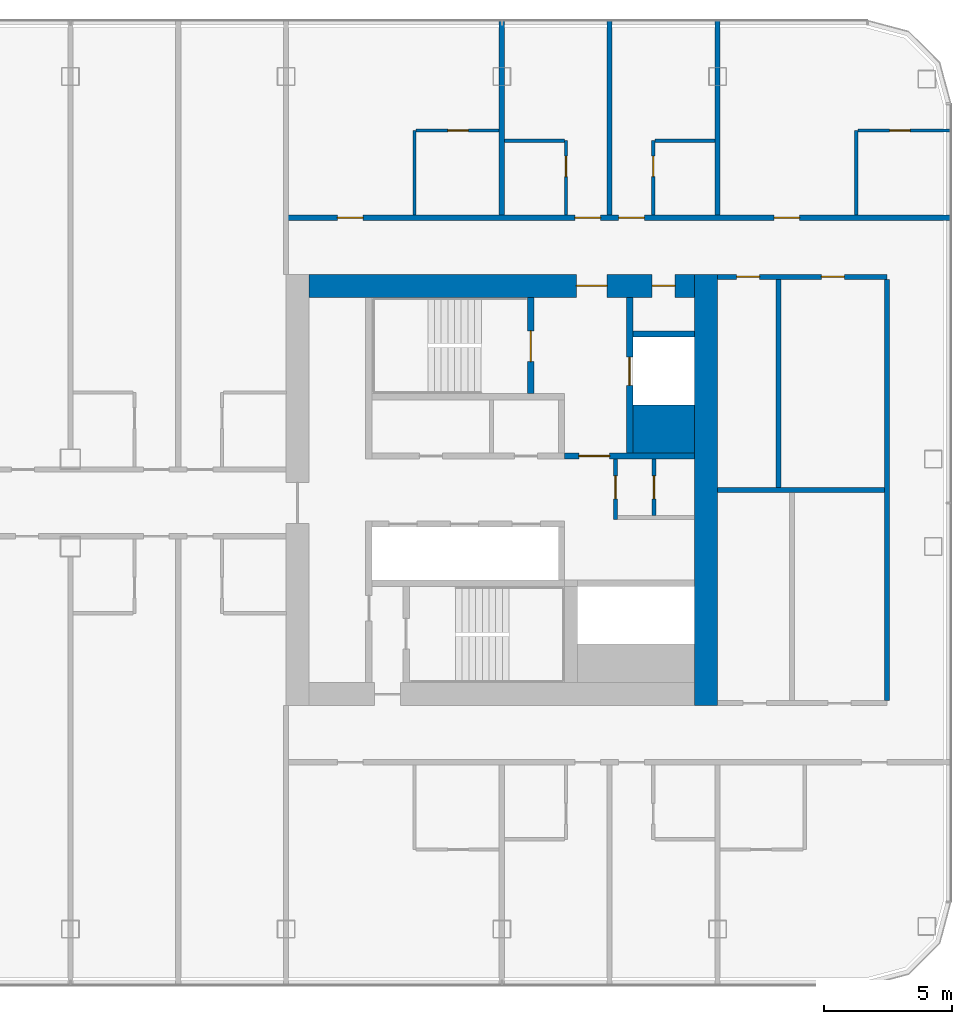
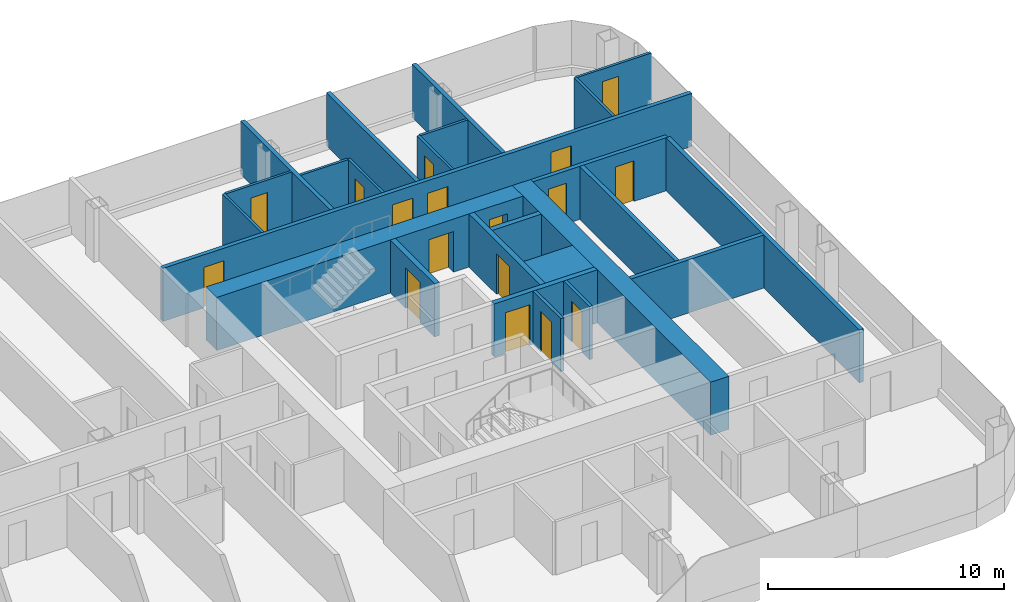
# One storey, part 17 of 26: 25 walls, 17 doors, 17 openings.
"""IFC4 building model written with IfcOpenShell, lengths in metres."""

from ifc_helpers import new_model, si_unit, direction, frame, frame_2d, origin, place, context, subcontext, project, spatial, rectangle, extrude, material, layer, layer_set, type_object, element, fill, save


model = new_model("IFC4")

# Units and contexts
model_context = context("Model", 3, precision=1e-05, world=origin(), true_north=direction((0.0, 1.0)))
body_context = subcontext(model_context, "Body", "Model", "MODEL_VIEW")
ifc_project = project(units=[si_unit("LENGTHUNIT", "METRE"), si_unit("AREAUNIT", "SQUARE_METRE"), si_unit("VOLUMEUNIT", "CUBIC_METRE"), si_unit("PLANEANGLEUNIT", "RADIAN"), si_unit("MASSUNIT", "GRAM", prefix="KILO")], contexts=[model_context])

# Site, building, storey
site_placement = place(None, origin())
site = spatial("IfcSite", under=ifc_project, at=site_placement, CompositionType="ELEMENT")
building_placement = place(site_placement, origin())
building = spatial("IfcBuilding", under=site, at=building_placement, Name="Hakoniwa Tower and Hamabe Station Hall", CompositionType="ELEMENT")
storey_placement = place(building_placement, frame((0.0, 0.0, 153.39990234375)))
storey = spatial("IfcBuildingStorey", under=building, at=storey_placement, Name="L43", CompositionType="ELEMENT", Elevation=153.39990234375)

# Walls
ifc_material_1 = material(Name="Gypsum board partition", Category="gypsum")
ifc_layer_1 = layer(ifc_material_1, 0.125)
ifc_layer_set_1 = layer_set([ifc_layer_1], Name="Bathroom Partition 125")
wall_type_1 = type_object("IfcWallType", Name="Bathroom Partition 125", PredefinedType="PARTITIONING", material=ifc_layer_set_1)
for number, where, z_axis, x_axis, name in (
    (1, (25.300048828125, 13.60009765625, 0.0), (0.0, 0.0, 1.0), (1.0, 0.0, 0.0), "GW-L43-031"),
    (2, (31.16259765625, 13.60009765625, 0.0), (0.0, 0.0, 1.0), (1.0, 0.0, 0.0), "GW-L43-032"),
):
    element("IfcWall", number, at=place(storey_placement, frame(where, z_axis=z_axis, x_axis=x_axis)), inside=storey, type_object=wall_type_1, Name=name, PredefinedType="PARTITIONING", context=body_context, shape_type="SweptSolid", body=[
        extrude(rectangle(XDim=2.33740234375, YDim=0.125, at=frame_2d((1.168701171875, 0.0))), origin(), (0.0, 0.0, 1.0), 2.75),
    ])

# Wall, opening, door
wall_1_placement = place(storey_placement, frame((21.862548828125, 14.0, 0.0), z_axis=(0.0, 0.0, 1.0), x_axis=(1.0, 0.0, 0.0)))
wall_1 = element("IfcWall", 3, at=wall_1_placement, inside=storey, type_object=wall_type_1, Name="GW-L43-034", PredefinedType="PARTITIONING", context=body_context, shape_type="SweptSolid", body=[
    extrude(rectangle(XDim=3.237548828125, YDim=0.125, at=frame_2d((1.61865234375, 0.0))), origin(), (0.0, 0.0, 1.0), 2.75),
])
opening_1_placement = place(wall_1_placement, frame((1.237548828125, 0.0, 0.0)))
opening_1 = element("IfcOpeningElement", 4, at=opening_1_placement, cuts=wall_1, Name="Opening GD-G3C1-46", PredefinedType="OPENING", context=body_context, shape_type="SweptSolid", body=[
    extrude(rectangle(XDim=0.800048828125, YDim=2.10009765625, at=frame_2d((0.39990234375, 1.050048828125))), frame((0.0, 0.072509765625, 0.0), z_axis=(0.0, -1.0, 0.0), x_axis=(1.0, 0.0, 0.0)), (0.0, 0.0, 1.0), 0.14501953125),
])
ifc_material_2 = material(Name="Timber door leaf", Category="wood")
door_type_1 = type_object("IfcDoorType", Name="Bathroom Door 800", OperationType="SINGLE_SWING_LEFT", PredefinedType="DOOR", material=ifc_material_2)
door_1_placement = place(opening_1_placement, origin())
door_1 = element("IfcDoor", 5, at=door_1_placement, inside=storey, type_object=door_type_1, Name="Door GD-G3C1-46", OperationType="SINGLE_SWING_RIGHT", OverallHeight=2.10009765625, OverallWidth=0.800048828125, PredefinedType="DOOR", context=body_context, shape_type="SweptSolid", body=[
    extrude(rectangle(XDim=0.800048828125, YDim=2.10009765625, at=frame_2d((0.39990234375, 1.050048828125))), frame((0.0, 0.02490234375, 0.0), z_axis=(0.0, -1.0, 0.0), x_axis=(1.0, 0.0, 0.0)), (0.0, 0.0, 1.0), 0.050048828125),
])
fill(opening_1, door_1)

wall_2_placement = place(storey_placement, frame((39.0625, 14.0, 0.0), z_axis=(0.0, 0.0, 1.0), x_axis=(1.0, 0.0, 0.0)))
wall_2 = element("IfcWall", 6, at=wall_2_placement, inside=storey, type_object=wall_type_1, Name="GW-L43-035", PredefinedType="PARTITIONING", context=body_context, shape_type="SweptSolid", body=[
    extrude(rectangle(XDim=3.637451171875, YDim=0.125, at=frame_2d((1.81884765625, 0.0))), origin(), (0.0, 0.0, 1.0), 2.75),
])
opening_2_placement = place(wall_2_placement, frame((1.237548828125, 0.0, 0.0)))
opening_2 = element("IfcOpeningElement", 7, at=opening_2_placement, cuts=wall_2, Name="Opening GD-G3C1-47", PredefinedType="OPENING", context=body_context, shape_type="SweptSolid", body=[
    extrude(rectangle(XDim=0.800048828125, YDim=2.10009765625, at=frame_2d((0.39990234375, 1.050048828125))), frame((0.0, 0.072509765625, 0.0), z_axis=(0.0, -1.0, 0.0), x_axis=(1.0, 0.0, 0.0)), (0.0, 0.0, 1.0), 0.14501953125),
])
door_2_placement = place(opening_2_placement, origin())
door_2 = element("IfcDoor", 8, at=door_2_placement, inside=storey, type_object=door_type_1, Name="Door GD-G3C1-47", OperationType="SINGLE_SWING_LEFT", OverallHeight=2.10009765625, OverallWidth=0.800048828125, PredefinedType="DOOR", context=body_context, shape_type="SweptSolid", body=[
    extrude(rectangle(XDim=0.800048828125, YDim=2.10009765625, at=frame_2d((0.39990234375, 1.050048828125))), frame((0.0, 0.02490234375, 0.0), z_axis=(0.0, -1.0, 0.0), x_axis=(1.0, 0.0, 0.0)), (0.0, 0.0, 1.0), 0.050048828125),
])
fill(opening_2, door_2)

# Wall
wall_3_placement = place(storey_placement, frame((21.800048828125, 10.699951171875, 0.0), z_axis=(0.0, 0.0, 1.0), x_axis=(0.0, 1.0, 0.0)))
element("IfcWall", 9, at=wall_3_placement, inside=storey, type_object=wall_type_1, Name="GW-L43-079", PredefinedType="PARTITIONING", context=body_context, shape_type="SweptSolid", body=[
    extrude(rectangle(XDim=3.300048828125, YDim=0.125, at=frame_2d((1.64990234375, 0.0))), origin(), (0.0, 0.0, 1.0), 2.75),
])

# Wall, opening, door
wall_4_placement = place(storey_placement, frame((27.699951171875, 10.699951171875, 0.0), z_axis=(0.0, 0.0, 1.0), x_axis=(0.0, 1.0, 0.0)))
wall_4 = element("IfcWall", 10, at=wall_4_placement, inside=storey, type_object=wall_type_1, Name="GW-L43-083", PredefinedType="PARTITIONING", context=body_context, shape_type="SweptSolid", body=[
    extrude(rectangle(XDim=2.900146484375, YDim=0.125, at=frame_2d((1.4501953125, 0.0))), origin(), (0.0, 0.0, 1.0), 2.75),
])
opening_3_placement = place(wall_4_placement, frame((1.5, 0.0, 0.0)))
opening_3 = element("IfcOpeningElement", 11, at=opening_3_placement, cuts=wall_4, Name="Opening GD-G3C1-61", PredefinedType="OPENING", context=body_context, shape_type="SweptSolid", body=[
    extrude(rectangle(XDim=0.800048828125, YDim=2.10009765625, at=frame_2d((0.39990234375, 1.050048828125))), frame((0.0, 0.072509765625, 0.0), z_axis=(0.0, -1.0, 0.0), x_axis=(1.0, 0.0, 0.0)), (0.0, 0.0, 1.0), 0.14501953125),
])
door_3_placement = place(opening_3_placement, origin())
door_3 = element("IfcDoor", 12, at=door_3_placement, inside=storey, type_object=door_type_1, Name="Door GD-G3C1-61", OperationType="SINGLE_SWING_LEFT", OverallHeight=2.10009765625, OverallWidth=0.800048828125, PredefinedType="DOOR", context=body_context, shape_type="SweptSolid", body=[
    extrude(rectangle(XDim=0.800048828125, YDim=2.10009765625, at=frame_2d((0.39990234375, 1.050048828125))), frame((0.0, 0.02490234375, 0.0), z_axis=(0.0, -1.0, 0.0), x_axis=(1.0, 0.0, 0.0)), (0.0, 0.0, 1.0), 0.050048828125),
])
fill(opening_3, door_3)

wall_5_placement = place(storey_placement, frame((31.10009765625, 10.699951171875, 0.0), z_axis=(0.0, 0.0, 1.0), x_axis=(0.0, 1.0, 0.0)))
wall_5 = element("IfcWall", 13, at=wall_5_placement, inside=storey, type_object=wall_type_1, Name="GW-L43-087", PredefinedType="PARTITIONING", context=body_context, shape_type="SweptSolid", body=[
    extrude(rectangle(XDim=2.900146484375, YDim=0.125, at=frame_2d((1.4501953125, 0.0))), origin(), (0.0, 0.0, 1.0), 2.75),
])
opening_4_placement = place(wall_5_placement, frame((1.5, 0.0, 0.0)))
opening_4 = element("IfcOpeningElement", 14, at=opening_4_placement, cuts=wall_5, Name="Opening GD-G3C1-63", PredefinedType="OPENING", context=body_context, shape_type="SweptSolid", body=[
    extrude(rectangle(XDim=0.800048828125, YDim=2.10009765625, at=frame_2d((0.39990234375, 1.050048828125))), frame((0.0, 0.072509765625, 0.0), z_axis=(0.0, -1.0, 0.0), x_axis=(1.0, 0.0, 0.0)), (0.0, 0.0, 1.0), 0.14501953125),
])
door_4_placement = place(opening_4_placement, origin())
door_4 = element("IfcDoor", 15, at=door_4_placement, inside=storey, type_object=door_type_1, Name="Door GD-G3C1-63", OperationType="SINGLE_SWING_RIGHT", OverallHeight=2.10009765625, OverallWidth=0.800048828125, PredefinedType="DOOR", context=body_context, shape_type="SweptSolid", body=[
    extrude(rectangle(XDim=0.800048828125, YDim=2.10009765625, at=frame_2d((0.39990234375, 1.050048828125))), frame((0.0, 0.02490234375, 0.0), z_axis=(0.0, -1.0, 0.0), x_axis=(1.0, 0.0, 0.0)), (0.0, 0.0, 1.0), 0.050048828125),
])
fill(opening_4, door_4)

# Wall
wall_6_placement = place(storey_placement, frame((39.0, 10.699951171875, 0.0), z_axis=(0.0, 0.0, 1.0), x_axis=(0.0, 1.0, 0.0)))
element("IfcWall", 16, at=wall_6_placement, inside=storey, type_object=wall_type_1, Name="GW-L43-093", PredefinedType="PARTITIONING", context=body_context, shape_type="SweptSolid", body=[
    extrude(rectangle(XDim=3.300048828125, YDim=0.125, at=frame_2d((1.64990234375, 0.0))), origin(), (0.0, 0.0, 1.0), 2.75),
])

# Wall, opening, door
ifc_material_3 = material(Name="Gypsum board partition")
ifc_layer_2 = layer(ifc_material_3, 0.14990234375)
ifc_layer_set_2 = layer_set([ifc_layer_2], Name="CORE PARTITION 150 EI 60")
wall_type_2 = type_object("IfcWallType", Name="CORE PARTITION 150 EI 60", PredefinedType="PARTITIONING", material=ifc_layer_set_2)
wall_7_placement = place(storey_placement, frame((29.625, -1.14990234375, 0.0), z_axis=(0.0, 0.0, 1.0), x_axis=(0.0, 1.0, 0.0)))
wall_7 = element("IfcWall", 17, at=wall_7_placement, inside=storey, type_object=wall_type_2, Name="Core partition PW0 east", PredefinedType="PARTITIONING", context=body_context, shape_type="SweptSolid", body=[
    extrude(rectangle(XDim=2.349853515625, YDim=0.14990234375, at=frame_2d((1.1748046875, 0.0))), origin(), (0.0, 0.0, 1.0), 2.75),
])
opening_5_placement = place(wall_7_placement, frame((0.800048828125, 0.0, 0.0)))
opening_5 = element("IfcOpeningElement", 18, at=opening_5_placement, cuts=wall_7, Name="Opening CD-E-RM1-9", PredefinedType="OPENING", context=body_context, shape_type="SweptSolid", body=[
    extrude(rectangle(XDim=0.89990234375, YDim=2.10009765625, at=frame_2d((0.449951171875, 1.050048828125))), frame((0.0, 0.0849609375, 0.0), z_axis=(0.0, -1.0, 0.0), x_axis=(1.0, 0.0, 0.0)), (0.0, 0.0, 1.0), 0.169921875),
])
ifc_material_4 = material(Name="Steel fire door", Category="steel")
door_type_2 = type_object("IfcDoorType", Name="CORE DOOR 900 FD30", OperationType="NOTDEFINED", PredefinedType="DOOR", material=ifc_material_4)
door_5_placement = place(opening_5_placement, origin())
door_5 = element("IfcDoor", 19, at=door_5_placement, inside=storey, type_object=door_type_2, Name="Store room door", OperationType="SINGLE_SWING_RIGHT", OverallHeight=2.10009765625, OverallWidth=0.89990234375, PredefinedType="DOOR", context=body_context, shape_type="SweptSolid", body=[
    extrude(rectangle(XDim=0.89990234375, YDim=2.10009765625, at=frame_2d((0.449951171875, 1.050048828125))), frame((0.0, 0.02490234375, 0.0), z_axis=(0.0, -1.0, 0.0), x_axis=(1.0, 0.0, 0.0)), (0.0, 0.0, 1.0), 0.050048828125),
])
fill(opening_5, door_5)

wall_8_placement = place(storey_placement, frame((31.125, -1.0, 0.0), z_axis=(0.0, 0.0, 1.0), x_axis=(0.0, 1.0, 0.0)))
wall_8 = element("IfcWall", 20, at=wall_8_placement, inside=storey, type_object=wall_type_2, Name="Core partition PW1 east", PredefinedType="PARTITIONING", context=body_context, shape_type="SweptSolid", body=[
    extrude(rectangle(XDim=2.199951171875, YDim=0.14990234375, at=frame_2d((1.10009765625, 0.0))), origin(), (0.0, 0.0, 1.0), 2.75),
])
opening_6_placement = place(wall_8_placement, frame((0.64990234375, 0.0, 0.0)))
opening_6 = element("IfcOpeningElement", 21, at=opening_6_placement, cuts=wall_8, Name="Opening CD-E-RM2-9", PredefinedType="OPENING", context=body_context, shape_type="SweptSolid", body=[
    extrude(rectangle(XDim=0.89990234375, YDim=2.10009765625, at=frame_2d((0.449951171875, 1.050048828125))), frame((0.0, 0.0849609375, 0.0), z_axis=(0.0, -1.0, 0.0), x_axis=(1.0, 0.0, 0.0)), (0.0, 0.0, 1.0), 0.169921875),
])
door_6_placement = place(opening_6_placement, origin())
door_6 = element("IfcDoor", 22, at=door_6_placement, inside=storey, type_object=door_type_2, Name="Store room door", OperationType="SINGLE_SWING_RIGHT", OverallHeight=2.10009765625, OverallWidth=0.89990234375, PredefinedType="DOOR", context=body_context, shape_type="SweptSolid", body=[
    extrude(rectangle(XDim=0.89990234375, YDim=2.10009765625, at=frame_2d((0.449951171875, 1.050048828125))), frame((0.0, 0.02490234375, 0.0), z_axis=(0.0, -1.0, 0.0), x_axis=(1.0, 0.0, 0.0)), (0.0, 0.0, 1.0), 0.050048828125),
])
fill(opening_6, door_6)

# Wall
ifc_material_5 = material(Name="Concrete C66", Category="concrete")
ifc_layer_3 = layer(ifc_material_5, 0.89990234375)
ifc_layer_set_3 = layer_set([ifc_layer_3], Name="CORE WALL 900 C66")
wall_type_3 = type_object("IfcWallType", Name="CORE WALL 900 C66", PredefinedType="SHEAR", material=ifc_layer_set_3)
wall_9_placement = place(storey_placement, frame((33.14990234375, -8.39990234375, 0.0), z_axis=(0.0, 0.0, 1.0), x_axis=(0.0, 1.0, 0.0)))
element("IfcWall", 23, at=wall_9_placement, inside=storey, type_object=wall_type_3, Name="Core wall OUTER east", PredefinedType="SHEAR", context=body_context, shape_type="SweptSolid", body=[
    extrude(rectangle(XDim=16.7998046875, YDim=0.89990234375, at=frame_2d((8.39990234375, 0.0))), origin(), (0.0, 0.0, 1.0), 2.75),
])

# Wall, openings, doors
wall_10_placement = place(storey_placement, frame((17.699951171875, 7.949951171875, 0.0), z_axis=(0.0, 0.0, 1.0), x_axis=(1.0, 0.0, 0.0)))
wall_10 = element("IfcWall", 24, at=wall_10_placement, inside=storey, type_object=wall_type_3, Name="Core wall NORTH east", PredefinedType="SHEAR", context=body_context, shape_type="SweptSolid", body=[
    extrude(rectangle(XDim=15.0, YDim=0.89990234375, at=frame_2d((7.5, 0.0))), origin(), (0.0, 0.0, 1.0), 2.75),
])
opening_7_placement = place(wall_10_placement, frame((10.39990234375, 0.0, 0.0)))
opening_7 = element("IfcOpeningElement", 25, at=opening_7_placement, cuts=wall_10, Name="Opening CD-E-FN1-12", PredefinedType="OPENING", context=body_context, shape_type="SweptSolid", body=[
    extrude(rectangle(XDim=1.199951171875, YDim=2.10009765625, at=frame_2d((0.60009765625, 1.050048828125))), frame((0.0, 0.4599609375, 0.0), z_axis=(0.0, -1.0, 0.0), x_axis=(1.0, 0.0, 0.0)), (0.0, 0.0, 1.0), 0.919921875),
])
opening_8_placement = place(wall_10_placement, frame((13.35009765625, 0.0, 0.0)))
opening_8 = element("IfcOpeningElement", 26, at=opening_8_placement, cuts=wall_10, Name="Opening CD-E-FN2-9", PredefinedType="OPENING", context=body_context, shape_type="SweptSolid", body=[
    extrude(rectangle(XDim=0.89990234375, YDim=2.10009765625, at=frame_2d((0.449951171875, 1.050048828125))), frame((0.0, 0.4599609375, 0.0), z_axis=(0.0, -1.0, 0.0), x_axis=(1.0, 0.0, 0.0)), (0.0, 0.0, 1.0), 0.919921875),
])
ifc_material_6 = material(Name="Steel fire door", Category="steel")
door_type_3 = type_object("IfcDoorType", Name="CORE DOOR 1200 FD60", OperationType="DOUBLE_DOOR_SINGLE_SWING", PredefinedType="DOOR", material=ifc_material_6)
door_7_placement = place(opening_7_placement, origin())
door_7 = element("IfcDoor", 27, at=door_7_placement, inside=storey, type_object=door_type_3, Name="Stair vestibule door to the fire-fighting lobby", OperationType="DOUBLE_DOOR_SINGLE_SWING", OverallHeight=2.10009765625, OverallWidth=1.199951171875, PredefinedType="DOOR", context=body_context, shape_type="SweptSolid", body=[
    extrude(rectangle(XDim=1.199951171875, YDim=2.10009765625, at=frame_2d((0.60009765625, 1.050048828125))), frame((0.0, 0.02490234375, 0.0), z_axis=(0.0, -1.0, 0.0), x_axis=(1.0, 0.0, 0.0)), (0.0, 0.0, 1.0), 0.050048828125),
])
fill(opening_7, door_7)
door_8_placement = place(opening_8_placement, origin())
door_8 = element("IfcDoor", 28, at=door_8_placement, inside=storey, type_object=door_type_2, Name="Riser access door", OperationType="SINGLE_SWING_RIGHT", OverallHeight=2.10009765625, OverallWidth=0.89990234375, PredefinedType="DOOR", context=body_context, shape_type="SweptSolid", body=[
    extrude(rectangle(XDim=0.89990234375, YDim=2.10009765625, at=frame_2d((0.449951171875, 1.050048828125))), frame((0.0, 0.02490234375, 0.0), z_axis=(0.0, -1.0, 0.0), x_axis=(1.0, 0.0, 0.0)), (0.0, 0.0, 1.0), 0.050048828125),
])
fill(opening_8, door_8)

# Wall
ifc_material_7 = material(Name="Concrete C66", Category="concrete")
ifc_layer_4 = layer(ifc_material_7, 1.85009765625)
ifc_layer_set_4 = layer_set([ifc_layer_4], Name="CORE WEB WALL 1850 C66")
wall_type_4 = type_object("IfcWallType", Name="CORE WEB WALL 1850 C66", PredefinedType="SHEAR", material=ifc_layer_set_4)
wall_11_placement = place(storey_placement, frame((30.300048828125, 2.375, 0.0), z_axis=(0.0, 0.0, 1.0), x_axis=(1.0, 0.0, 0.0)))
element("IfcWall", 29, at=wall_11_placement, inside=storey, type_object=wall_type_4, Name="Core wall CA east", PredefinedType="SHEAR", context=body_context, shape_type="SweptSolid", body=[
    extrude(rectangle(XDim=2.39990234375, YDim=1.85009765625, at=frame_2d((1.199951171875, 0.0))), origin(), (0.0, 0.0, 1.0), 2.75),
])

# Wall, opening, door
ifc_material_8 = material(Name="Concrete C66", Category="concrete")
ifc_layer_5 = layer(ifc_material_8, 0.25)
ifc_layer_set_5 = layer_set([ifc_layer_5], Name="CORE WEB WALL 250 C66")
wall_type_5 = type_object("IfcWallType", Name="CORE WEB WALL 250 C66", PredefinedType="SHEAR", material=ifc_layer_set_5)
wall_12_placement = place(storey_placement, frame((26.324951171875, 3.75, 0.0), z_axis=(0.0, 0.0, 1.0), x_axis=(0.0, 1.0, 0.0)))
wall_12 = element("IfcWall", 30, at=wall_12_placement, inside=storey, type_object=wall_type_5, Name="Core wall NSE east", PredefinedType="SHEAR", context=body_context, shape_type="SweptSolid", body=[
    extrude(rectangle(XDim=3.75, YDim=0.25, at=frame_2d((1.875, 0.0))), origin(), (0.0, 0.0, 1.0), 2.75),
])
opening_9_placement = place(wall_12_placement, frame((1.25, 0.0, 0.0)))
opening_9 = element("IfcOpeningElement", 31, at=opening_9_placement, cuts=wall_12, Name="Opening CD-E-SN-12", PredefinedType="OPENING", context=body_context, shape_type="SweptSolid", body=[
    extrude(rectangle(XDim=1.199951171875, YDim=2.10009765625, at=frame_2d((0.60009765625, 1.050048828125))), frame((0.0, 0.135009765625, 0.0), z_axis=(0.0, -1.0, 0.0), x_axis=(1.0, 0.0, 0.0)), (0.0, 0.0, 1.0), 0.27001953125),
])
door_9_placement = place(opening_9_placement, origin())
door_9 = element("IfcDoor", 32, at=door_9_placement, inside=storey, type_object=door_type_3, Name="Escape stair door", OperationType="DOUBLE_DOOR_SINGLE_SWING", OverallHeight=2.10009765625, OverallWidth=1.199951171875, PredefinedType="DOOR", context=body_context, shape_type="SweptSolid", body=[
    extrude(rectangle(XDim=1.199951171875, YDim=2.10009765625, at=frame_2d((0.60009765625, 1.050048828125))), frame((0.0, 0.02490234375, 0.0), z_axis=(0.0, -1.0, 0.0), x_axis=(1.0, 0.0, 0.0)), (0.0, 0.0, 1.0), 0.050048828125),
])
fill(opening_9, door_9)

wall_13_placement = place(storey_placement, frame((27.64990234375, 1.324951171875, 0.0), z_axis=(0.0, 0.0, 1.0), x_axis=(1.0, 0.0, 0.0)))
wall_13 = element("IfcWall", 33, at=wall_13_placement, inside=storey, type_object=wall_type_5, Name="Core wall ELN east", PredefinedType="SHEAR", context=body_context, shape_type="SweptSolid", body=[
    extrude(rectangle(XDim=5.050048828125, YDim=0.25, at=frame_2d((2.52490234375, 0.0))), origin(), (0.0, 0.0, 1.0), 2.75),
])
opening_10_placement = place(wall_13_placement, frame((0.550048828125, 0.0, 0.0)))
opening_10 = element("IfcOpeningElement", 34, at=opening_10_placement, cuts=wall_13, Name="Opening CD-E-FL-12", PredefinedType="OPENING", context=body_context, shape_type="SweptSolid", body=[
    extrude(rectangle(XDim=1.199951171875, YDim=2.10009765625, at=frame_2d((0.60009765625, 1.050048828125))), frame((0.0, 0.135009765625, 0.0), z_axis=(0.0, -1.0, 0.0), x_axis=(1.0, 0.0, 0.0)), (0.0, 0.0, 1.0), 0.27001953125),
])
door_10_placement = place(opening_10_placement, origin())
door_10 = element("IfcDoor", 35, at=door_10_placement, inside=storey, type_object=door_type_3, Name="Stair vestibule door to the fire-fighting lobby", OperationType="DOUBLE_DOOR_SINGLE_SWING", OverallHeight=2.10009765625, OverallWidth=1.199951171875, PredefinedType="DOOR", context=body_context, shape_type="SweptSolid", body=[
    extrude(rectangle(XDim=1.199951171875, YDim=2.10009765625, at=frame_2d((0.60009765625, 1.050048828125))), frame((0.0, 0.02490234375, 0.0), z_axis=(0.0, -1.0, 0.0), x_axis=(1.0, 0.0, 0.0)), (0.0, 0.0, 1.0), 0.050048828125),
])
fill(opening_10, door_10)

wall_14_placement = place(storey_placement, frame((30.175048828125, 1.449951171875, 0.0), z_axis=(0.0, 0.0, 1.0), x_axis=(0.0, 1.0, 0.0)))
wall_14 = element("IfcWall", 36, at=wall_14_placement, inside=storey, type_object=wall_type_5, Name="Core wall FFF east", PredefinedType="SHEAR", context=body_context, shape_type="SweptSolid", body=[
    extrude(rectangle(XDim=6.050048828125, YDim=0.25, at=frame_2d((3.02490234375, 0.0))), origin(), (0.0, 0.0, 1.0), 2.75),
])
opening_11_placement = place(wall_14_placement, frame((2.625, 0.0, 0.0)))
opening_11 = element("IfcOpeningElement", 37, at=opening_11_placement, cuts=wall_14, Name="Opening LD-FF2", PredefinedType="OPENING", context=body_context, shape_type="SweptSolid", body=[
    extrude(rectangle(XDim=1.10009765625, YDim=2.10009765625, at=frame_2d((0.550048828125, 1.050048828125))), frame((0.0, 0.135009765625, 0.0), z_axis=(0.0, -1.0, 0.0), x_axis=(1.0, 0.0, 0.0)), (0.0, 0.0, 1.0), 0.27001953125),
])
ifc_material_9 = material(Name="Stainless steel SUS304", Category="steel")
door_type_4 = type_object("IfcDoorType", Name="LIFT LANDING DOOR 1100 FD60", OperationType="DOUBLE_DOOR_SLIDING", PredefinedType="DOOR", material=ifc_material_9)
door_11_placement = place(opening_11_placement, origin())
door_11 = element("IfcDoor", 38, at=door_11_placement, inside=storey, type_object=door_type_4, Name="Lift landing door FF2 L43", OperationType="DOUBLE_DOOR_SLIDING", OverallHeight=2.10009765625, OverallWidth=1.10009765625, PredefinedType="DOOR", context=body_context, shape_type="SweptSolid", body=[
    extrude(rectangle(XDim=1.10009765625, YDim=2.10009765625, at=frame_2d((0.550048828125, 1.050048828125))), frame((0.0, 0.02490234375, 0.0), z_axis=(0.0, -1.0, 0.0), x_axis=(1.0, 0.0, 0.0)), (0.0, 0.0, 1.0), 0.050048828125),
])
fill(opening_11, door_11)

# Wall
wall_15_placement = place(storey_placement, frame((30.300048828125, 6.074951171875, 0.0), z_axis=(0.0, 0.0, 1.0), x_axis=(1.0, 0.0, 0.0)))
element("IfcWall", 39, at=wall_15_placement, inside=storey, type_object=wall_type_5, Name="Core wall C2 east", PredefinedType="SHEAR", context=body_context, shape_type="SweptSolid", body=[
    extrude(rectangle(XDim=2.39990234375, YDim=0.25, at=frame_2d((1.199951171875, 0.0))), origin(), (0.0, 0.0, 1.0), 2.75),
])

# Wall, openings, doors
ifc_material_10 = material(Name="Fire-rated gypsum board partition", Category="gypsum")
ifc_layer_6 = layer(ifc_material_10, 0.199951171875)
ifc_layer_set_6 = layer_set([ifc_layer_6], Name="Corridor Wall 200")
wall_type_6 = type_object("IfcWallType", Name="Corridor Wall 200", PredefinedType="PARTITIONING", material=ifc_layer_set_6)
wall_16_placement = place(storey_placement, frame((33.60009765625, 8.300048828125, 0.0), z_axis=(0.0, 0.0, 1.0), x_axis=(1.0, 0.0, 0.0)))
wall_16 = element("IfcWall", 40, at=wall_16_placement, inside=storey, type_object=wall_type_6, Name="GW-L43-024", PredefinedType="PARTITIONING", context=body_context, shape_type="SweptSolid", body=[
    extrude(rectangle(XDim=6.599853515625, YDim=0.199951171875, at=frame_2d((3.2998046875, 0.0))), origin(), (0.0, 0.0, 1.0), 2.75),
])
opening_12_placement = place(wall_16_placement, frame((0.739990234375, 0.0, 0.0)))
opening_12 = element("IfcOpeningElement", 41, at=opening_12_placement, cuts=wall_16, Name="Opening GD-G3C1-34", PredefinedType="OPENING", context=body_context, shape_type="SweptSolid", body=[
    extrude(rectangle(XDim=0.89990234375, YDim=2.10009765625, at=frame_2d((0.449951171875, 1.050048828125))), frame((0.0, 0.10986328125, 0.0), z_axis=(0.0, -1.0, 0.0), x_axis=(1.0, 0.0, 0.0)), (0.0, 0.0, 1.0), 0.219970703125),
])
opening_13_placement = place(wall_16_placement, frame((4.0400390625, 0.0, 0.0)))
opening_13 = element("IfcOpeningElement", 42, at=opening_13_placement, cuts=wall_16, Name="Opening GD-G3C1-35", PredefinedType="OPENING", context=body_context, shape_type="SweptSolid", body=[
    extrude(rectangle(XDim=0.89990234375, YDim=2.10009765625, at=frame_2d((0.449951171875, 1.050048828125))), frame((0.0, 0.10986328125, 0.0), z_axis=(0.0, -1.0, 0.0), x_axis=(1.0, 0.0, 0.0)), (0.0, 0.0, 1.0), 0.219970703125),
])
ifc_material_11 = material(Name="Timber door leaf", Category="wood")
door_type_5 = type_object("IfcDoorType", Name="Service Door 900", OperationType="SINGLE_SWING_LEFT", PredefinedType="DOOR", material=ifc_material_11)
door_12_placement = place(opening_12_placement, origin())
door_12 = element("IfcDoor", 43, at=door_12_placement, inside=storey, type_object=door_type_5, Name="Door GD-G3C1-34", OperationType="SINGLE_SWING_RIGHT", OverallHeight=2.10009765625, OverallWidth=0.89990234375, PredefinedType="DOOR", context=body_context, shape_type="SweptSolid", body=[
    extrude(rectangle(XDim=0.89990234375, YDim=2.10009765625, at=frame_2d((0.449951171875, 1.050048828125))), frame((0.0, 0.02490234375, 0.0), z_axis=(0.0, -1.0, 0.0), x_axis=(1.0, 0.0, 0.0)), (0.0, 0.0, 1.0), 0.050048828125),
])
fill(opening_12, door_12)
door_13_placement = place(opening_13_placement, origin())
door_13 = element("IfcDoor", 44, at=door_13_placement, inside=storey, type_object=door_type_5, Name="Door GD-G3C1-35", OperationType="SINGLE_SWING_RIGHT", OverallHeight=2.10009765625, OverallWidth=0.89990234375, PredefinedType="DOOR", context=body_context, shape_type="SweptSolid", body=[
    extrude(rectangle(XDim=0.89990234375, YDim=2.10009765625, at=frame_2d((0.449951171875, 1.050048828125))), frame((0.0, 0.02490234375, 0.0), z_axis=(0.0, -1.0, 0.0), x_axis=(1.0, 0.0, 0.0)), (0.0, 0.0, 1.0), 0.050048828125),
])
fill(opening_13, door_13)

wall_17_placement = place(storey_placement, frame((16.800048828125, 10.60009765625, 0.0), z_axis=(0.0, 0.0, 1.0), x_axis=(1.0, 0.0, 0.0)))
wall_17 = element("IfcWall", 45, at=wall_17_placement, inside=storey, type_object=wall_type_6, Name="GW-L43-026", PredefinedType="PARTITIONING", context=body_context, shape_type="SweptSolid", body=[
    extrude(rectangle(XDim=25.89990234375, YDim=0.199951171875, at=frame_2d((12.949951171875, 0.0))), origin(), (0.0, 0.0, 1.0), 2.75),
])
opening_14_placement = place(wall_17_placement, frame((2.0, 0.0, 0.0)))
opening_14 = element("IfcOpeningElement", 46, at=opening_14_placement, cuts=wall_17, Name="Opening GD-G3C1-41", PredefinedType="OPENING", context=body_context, shape_type="SweptSolid", body=[
    extrude(rectangle(XDim=1.0, YDim=2.10009765625, at=frame_2d((0.5, 1.050048828125))), frame((0.0, 0.10986328125, 0.0), z_axis=(0.0, -1.0, 0.0), x_axis=(1.0, 0.0, 0.0)), (0.0, 0.0, 1.0), 0.219970703125),
])
opening_15_placement = place(wall_17_placement, frame((11.25, 0.0, 0.0)))
opening_15 = element("IfcOpeningElement", 47, at=opening_15_placement, cuts=wall_17, Name="Opening GD-G3C1-42", PredefinedType="OPENING", context=body_context, shape_type="SweptSolid", body=[
    extrude(rectangle(XDim=1.0, YDim=2.10009765625, at=frame_2d((0.5, 1.050048828125))), frame((0.0, 0.10986328125, 0.0), z_axis=(0.0, -1.0, 0.0), x_axis=(1.0, 0.0, 0.0)), (0.0, 0.0, 1.0), 0.219970703125),
])
opening_16_placement = place(wall_17_placement, frame((12.949951171875, 0.0, 0.0)))
opening_16 = element("IfcOpeningElement", 48, at=opening_16_placement, cuts=wall_17, Name="Opening GD-G3C1-43", PredefinedType="OPENING", context=body_context, shape_type="SweptSolid", body=[
    extrude(rectangle(XDim=1.0, YDim=2.10009765625, at=frame_2d((0.5, 1.050048828125))), frame((0.0, 0.10986328125, 0.0), z_axis=(0.0, -1.0, 0.0), x_axis=(1.0, 0.0, 0.0)), (0.0, 0.0, 1.0), 0.219970703125),
])
opening_17_placement = place(wall_17_placement, frame((19.0, 0.0, 0.0)))
opening_17 = element("IfcOpeningElement", 49, at=opening_17_placement, cuts=wall_17, Name="Opening GD-G3C1-44", PredefinedType="OPENING", context=body_context, shape_type="SweptSolid", body=[
    extrude(rectangle(XDim=1.0, YDim=2.10009765625, at=frame_2d((0.5, 1.050048828125))), frame((0.0, 0.10986328125, 0.0), z_axis=(0.0, -1.0, 0.0), x_axis=(1.0, 0.0, 0.0)), (0.0, 0.0, 1.0), 0.219970703125),
])
ifc_material_12 = material(Name="Timber door leaf", Category="wood")
door_type_6 = type_object("IfcDoorType", Name="Guest Entrance Door 1000", OperationType="SINGLE_SWING_LEFT", PredefinedType="DOOR", material=ifc_material_12)
door_14_placement = place(opening_14_placement, origin())
door_14 = element("IfcDoor", 50, at=door_14_placement, inside=storey, type_object=door_type_6, Name="Door GD-G3C1-41", OperationType="SINGLE_SWING_RIGHT", OverallHeight=2.10009765625, OverallWidth=1.0, PredefinedType="DOOR", context=body_context, shape_type="SweptSolid", body=[
    extrude(rectangle(XDim=1.0, YDim=2.10009765625, at=frame_2d((0.5, 1.050048828125))), frame((0.0, 0.02490234375, 0.0), z_axis=(0.0, -1.0, 0.0), x_axis=(1.0, 0.0, 0.0)), (0.0, 0.0, 1.0), 0.050048828125),
])
fill(opening_14, door_14)
door_15_placement = place(opening_15_placement, origin())
door_15 = element("IfcDoor", 51, at=door_15_placement, inside=storey, type_object=door_type_6, Name="Door GD-G3C1-42", OperationType="SINGLE_SWING_LEFT", OverallHeight=2.10009765625, OverallWidth=1.0, PredefinedType="DOOR", context=body_context, shape_type="SweptSolid", body=[
    extrude(rectangle(XDim=1.0, YDim=2.10009765625, at=frame_2d((0.5, 1.050048828125))), frame((0.0, 0.02490234375, 0.0), z_axis=(0.0, -1.0, 0.0), x_axis=(1.0, 0.0, 0.0)), (0.0, 0.0, 1.0), 0.050048828125),
])
fill(opening_15, door_15)
door_16_placement = place(opening_16_placement, origin())
door_16 = element("IfcDoor", 52, at=door_16_placement, inside=storey, type_object=door_type_6, Name="Door GD-G3C1-43", OperationType="SINGLE_SWING_RIGHT", OverallHeight=2.10009765625, OverallWidth=1.0, PredefinedType="DOOR", context=body_context, shape_type="SweptSolid", body=[
    extrude(rectangle(XDim=1.0, YDim=2.10009765625, at=frame_2d((0.5, 1.050048828125))), frame((0.0, 0.02490234375, 0.0), z_axis=(0.0, -1.0, 0.0), x_axis=(1.0, 0.0, 0.0)), (0.0, 0.0, 1.0), 0.050048828125),
])
fill(opening_16, door_16)
door_17_placement = place(opening_17_placement, origin())
door_17 = element("IfcDoor", 53, at=door_17_placement, inside=storey, type_object=door_type_6, Name="Door GD-G3C1-44", OperationType="SINGLE_SWING_LEFT", OverallHeight=2.10009765625, OverallWidth=1.0, PredefinedType="DOOR", context=body_context, shape_type="SweptSolid", body=[
    extrude(rectangle(XDim=1.0, YDim=2.10009765625, at=frame_2d((0.5, 1.050048828125))), frame((0.0, 0.02490234375, 0.0), z_axis=(0.0, -1.0, 0.0), x_axis=(1.0, 0.0, 0.0)), (0.0, 0.0, 1.0), 0.050048828125),
])
fill(opening_17, door_17)

# Walls
ifc_material_13 = material(Name="Fire-rated gypsum board partition", Category="gypsum")
ifc_layer_7 = layer(ifc_material_13, 0.199951171875)
ifc_layer_set_7 = layer_set([ifc_layer_7], Name="Party Wall 200")
wall_type_7 = type_object("IfcWallType", Name="Party Wall 200", PredefinedType="PARTITIONING", material=ifc_layer_set_7)
wall_18_placement = place(storey_placement, frame((33.60009765625, 0.0, 0.0), z_axis=(0.0, 0.0, 1.0), x_axis=(1.0, 0.0, 0.0)))
element("IfcWall", 54, at=wall_18_placement, inside=storey, type_object=wall_type_7, Name="GW-L43-016", PredefinedType="PARTITIONING", context=body_context, shape_type="SweptSolid", body=[
    extrude(rectangle(XDim=6.5, YDim=0.199951171875, at=frame_2d((3.25, 0.0))), origin(), (0.0, 0.0, 1.0), 2.75),
])
for number, where, z_axis, x_axis, name in (
    (55, (25.199951171875, 10.699951171875, 0.0), (0.0, 0.0, 1.0), (0.0, 1.0, 0.0), "GW-L43-081"),
    (56, (29.39990234375, 10.699951171875, 0.0), (0.0, 0.0, 1.0), (0.0, 1.0, 0.0), "GW-L43-085"),
    (57, (33.60009765625, 10.699951171875, 0.0), (0.0, 0.0, 1.0), (0.0, 1.0, 0.0), "GW-L43-089"),
):
    element("IfcWall", number, at=place(storey_placement, frame(where, z_axis=z_axis, x_axis=x_axis)), inside=storey, type_object=wall_type_7, Name=name, PredefinedType="PARTITIONING", context=body_context, shape_type="SweptSolid", body=[
        extrude(rectangle(XDim=7.60009765625, YDim=0.199951171875, at=frame_2d((3.800048828125, 0.0))), origin(), (0.0, 0.0, 1.0), 2.75),
    ])
wall_19_placement = place(storey_placement, frame((35.97998046875, 0.0, 0.0), z_axis=(0.0, 0.0, 1.0), x_axis=(0.0, 1.0, 0.0)))
element("IfcWall", 58, at=wall_19_placement, inside=storey, type_object=wall_type_7, Name="GW-L43-090", PredefinedType="PARTITIONING", context=body_context, shape_type="SweptSolid", body=[
    extrude(rectangle(XDim=8.199951171875, YDim=0.199951171875, at=frame_2d((4.10009765625, 0.0))), origin(), (0.0, 0.0, 1.0), 2.75),
])
wall_20_placement = place(storey_placement, frame((40.199951171875, -8.199951171875, 0.0), z_axis=(0.0, 0.0, 1.0), x_axis=(0.0, 1.0, 0.0)))
element("IfcWall", 59, at=wall_20_placement, inside=storey, type_object=wall_type_7, Name="GW-L43-094", PredefinedType="PARTITIONING", context=body_context, shape_type="SweptSolid", body=[
    extrude(rectangle(XDim=16.39990234375, YDim=0.199951171875, at=frame_2d((8.199951171875, 0.0))), origin(), (0.0, 0.0, 1.0), 2.75),
])

save(model, "model.ifc")
